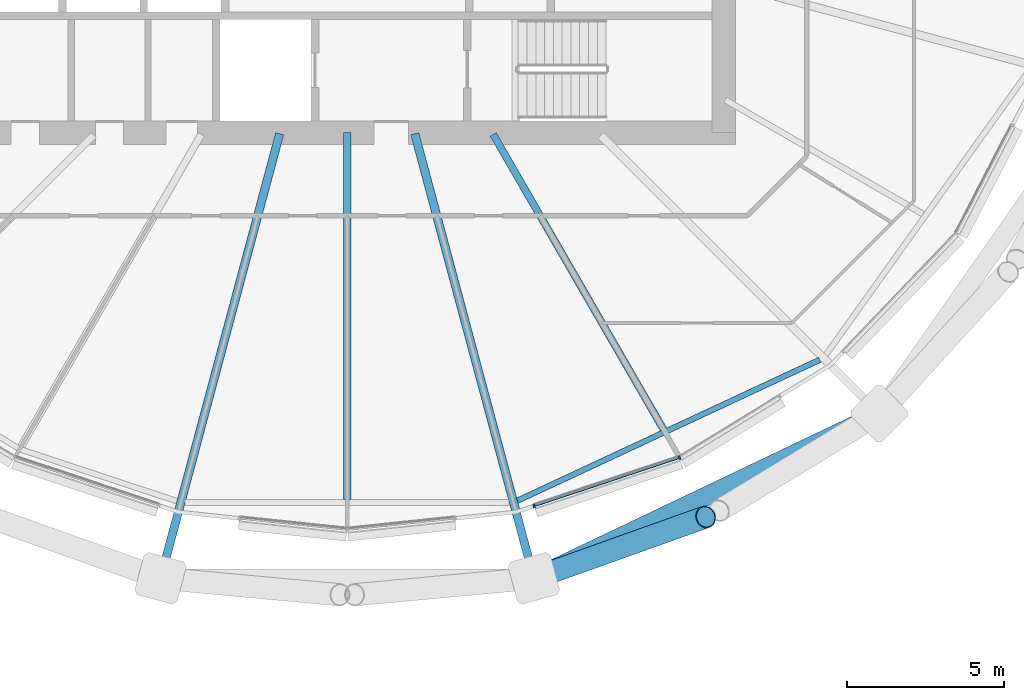
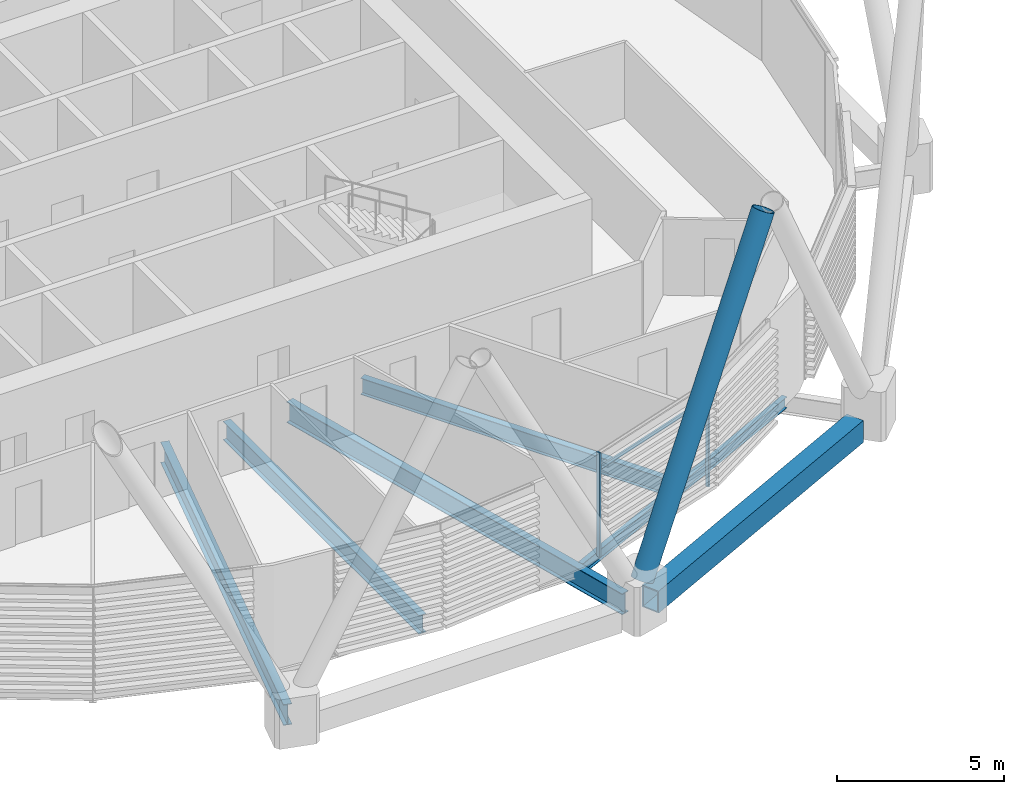
# One storey, part 4 of 39: 6 beams, 4 members, 1 element without a shape of its own.
"""IFC4 building model written with IfcOpenShell, lengths in metres."""

from ifc_helpers import new_model, si_unit, direction, frame, origin, origin_2d, place, context, subcontext, project, spatial, rectangle, hollow_rectangle, hollow_circle, i_section, extrude, material, material_profile, profile_set, type_object, element, aggregate, save


model = new_model("IFC4")

# Units and contexts
model_context = context("Model", 3, precision=1e-05, world=origin(), true_north=direction((0.0, 1.0)))
body_context = subcontext(model_context, "Body", "Model", "MODEL_VIEW")
ifc_project = project(units=[si_unit("LENGTHUNIT", "METRE"), si_unit("AREAUNIT", "SQUARE_METRE"), si_unit("VOLUMEUNIT", "CUBIC_METRE"), si_unit("PLANEANGLEUNIT", "RADIAN"), si_unit("MASSUNIT", "GRAM", prefix="KILO")], contexts=[model_context])

# Site, building, storey
site_placement = place(None, origin())
site = spatial("IfcSite", under=ifc_project, at=site_placement, CompositionType="ELEMENT")
building_placement = place(site_placement, origin())
building = spatial("IfcBuilding", under=site, at=building_placement, Name="Rimbun Link Towers", CompositionType="ELEMENT")
storey_placement = place(building_placement, frame((0.0, 0.0, 115.800048828125)))
storey = spatial("IfcBuildingStorey", under=building, at=storey_placement, Name="L28", CompositionType="ELEMENT", Elevation=115.800048828125)

# Curtain wall, members
ifc_material_1 = material(Name="Aluminium 6063-T6 and low-iron glass", Category="aluminium")
curtain_wall_type = type_object("IfcCurtainWallType", Name="CW1-Z2 unitised vision wall (zone 2)", PredefinedType="NOTDEFINED", material=ifc_material_1)
curtain_wall_placement = place(storey_placement, origin())
curtain_wall = element("IfcCurtainWall", 1, at=curtain_wall_placement, inside=storey, type_object=curtain_wall_type, Name="CW1 L28 T1", PredefinedType="NOTDEFINED")
ifc_material_2 = material(Name="Aluminium 6063-T6", Category="aluminium")
ifc_material_profile_1 = material_profile(ifc_material_2, rectangle(XDim=0.1201171875, YDim=0.06005859375, at=origin_2d()), Name="MULLION 60X120")
ifc_profile_set_1 = profile_set([ifc_material_profile_1], Name="Aluminium 6063-T6")
member_type_1 = type_object("IfcMemberType", Name="CW1 mullion 60X120", PredefinedType="MULLION", material=ifc_profile_set_1)
member_1_placement = place(storey_placement, frame((-21.15380859375, -18.364013671875, 0.0), z_axis=(0.0, 0.0, 1.0), x_axis=(0.421704717158, -0.9067332196, 0.0)))
member_1 = element("IfcMember", 2, at=member_1_placement, type_object=member_type_1, Name="CW1 mullion", PredefinedType="MULLION", context=body_context, shape_type="SweptSolid", body=[
    extrude(rectangle(XDim=0.1201171875, YDim=0.06005859375, at=origin_2d()), origin(), (0.0, 0.0, 1.0), 3.800048828125),
])
member_2_placement = place(storey_placement, frame((-25.793701171875, -19.90185546875, 0.0), z_axis=(0.0, 0.0, 1.0), x_axis=(0.314563424855, -0.949236457235, 0.0)))
member_2 = element("IfcMember", 3, at=member_2_placement, type_object=member_type_1, Name="CW1 mullion", PredefinedType="MULLION", context=body_context, shape_type="SweptSolid", body=[
    extrude(rectangle(XDim=0.1201171875, YDim=0.06005859375, at=origin_2d()), origin(), (0.0, 0.0, 1.0), 3.800048828125),
])
ifc_material_3 = material(Name="Aluminium 6063-T6", Category="aluminium")
ifc_material_profile_2 = material_profile(ifc_material_3, rectangle(XDim=0.06005859375, YDim=0.1201171875, at=origin_2d()), Name="TRANSOM 60X120")
ifc_profile_set_2 = profile_set([ifc_material_profile_2], Name="Aluminium 6063-T6")
member_type_2 = type_object("IfcMemberType", Name="CW1 transom 60X120", PredefinedType="USERDEFINED", material=ifc_profile_set_2)
member_3_placement = place(storey_placement, frame((-21.189208984375, -18.3740234375, 3.199951171875), z_axis=(-0.94923382133, -0.314571378933, 0.0), x_axis=(0.314571378933, -0.94923382133, 0.0)))
member_3 = element("IfcMember", 4, at=member_3_placement, type_object=member_type_2, Name="CW1 transom", ObjectType="TRANSOM", PredefinedType="USERDEFINED", context=body_context, shape_type="SweptSolid", body=[
    extrude(rectangle(XDim=0.06005859375, YDim=0.1201171875, at=origin_2d()), origin(), (0.0, 0.0, 1.0), 4.8212890625),
])
aggregate(curtain_wall, [member_1, member_2, member_3])

# Member
ifc_material_4 = material(Name="Steel S460NH", Category="steel")
ifc_material_profile_3 = material_profile(ifc_material_4, hollow_circle(Radius=0.355712890625, WallThickness=0.031982421875, at=origin_2d()), Name="Diagrid diagonal CHS 711x32")
ifc_profile_set_3 = profile_set([ifc_material_profile_3], Name="Steel S460NH")
member_type_3 = type_object("IfcMemberType", Name="Diagrid diagonal CHS 711x32", PredefinedType="BRACE", material=ifc_profile_set_3)
member_4_placement = place(storey_placement, frame((-25.578857421875, -22.128173828125, 0.441650390625), z_axis=(0.441450523195, 0.157512959012, 0.883352196643), x_axis=(-0.336056450745, 0.941841845488, 0.0)))
element("IfcMember", 5, at=member_4_placement, inside=storey, type_object=member_type_3, Name="Diagrid diagonal T1 L28-L31 19b", PredefinedType="BRACE", context=body_context, shape_type="SweptSolid", body=[
    extrude(hollow_circle(Radius=0.355712890625, WallThickness=0.031982421875, at=origin_2d()), origin(), (0.0, 0.0, 1.0), 11.9052734375),
])

# Beams
ifc_material_5 = material(Name="Steel S355J2", Category="steel")
ifc_material_profile_4 = material_profile(ifc_material_5, hollow_rectangle(XDim=0.60009765625, YDim=0.800048828125, WallThickness=0.0400390625, at=origin_2d()), Name="Exoskeleton ring girder BOX 600x800x40")
ifc_profile_set_4 = profile_set([ifc_material_profile_4], Name="Steel S355J2")
beam_type_1 = type_object("IfcBeamType", Name="Exoskeleton ring girder BOX 600x800x40", PredefinedType="BEAM", material=ifc_profile_set_4)
beam_1_placement = place(storey_placement, frame((-25.167724609375, -21.905517578125, -0.56005859375), z_axis=(0.902565145256, 0.430553316755, 0.0), x_axis=(-0.430553316755, 0.902565145256, 0.0)))
element("IfcBeam", 6, at=beam_1_placement, inside=storey, type_object=beam_type_1, Name="Exoskeleton ring girder L28 06", PredefinedType="BEAM", context=body_context, shape_type="SweptSolid", body=[
    extrude(hollow_rectangle(XDim=0.60009765625, YDim=0.800048828125, WallThickness=0.0400390625, at=origin_2d()), origin(), (0.0, 0.0, 1.0), 10.794189453125),
])
ifc_material_6 = material(Name="Steel S355J2", Category="steel")
ifc_material_profile_5 = material_profile(ifc_material_6, i_section(OverallWidth=0.177978515625, OverallDepth=0.406494140625, WebThickness=0.0078125, FlangeThickness=0.0126953125, at=origin_2d()), Name="UB 406x178x60")
ifc_profile_set_5 = profile_set([ifc_material_profile_5], Name="Steel S355J2")
beam_type_2 = type_object("IfcBeamType", Name="UB 406x178x60", PredefinedType="BEAM", material=ifc_profile_set_5)
beam_2_placement = place(storey_placement, frame((-26.323974609375, -19.731689453125, -0.36328125), z_axis=(0.906386059243, 0.422450365853, 0.0), x_axis=(-0.422450365853, 0.906386059243, 0.0)))
element("IfcBeam", 7, at=beam_2_placement, inside=storey, type_object=beam_type_2, Name="Edge beam T1 L28 19-21", PredefinedType="BEAM", context=body_context, shape_type="SweptSolid", body=[
    extrude(i_section(OverallWidth=0.177978515625, OverallDepth=0.406494140625, WebThickness=0.0078125, FlangeThickness=0.0126953125, at=origin_2d()), origin(), (0.0, 0.0, 1.0), 10.629638671875),
])
ifc_material_7 = material(Name="Steel S355J2", Category="steel")
ifc_material_profile_6 = material_profile(ifc_material_7, i_section(OverallWidth=0.2275390625, OverallDepth=0.6025390625, WebThickness=0.010498046875, FlangeThickness=0.014892578125, at=origin_2d()), Name="UB 610x229x101")
ifc_profile_set_6 = profile_set([ifc_material_profile_6], Name="Steel S355J2")
beam_type_3 = type_object("IfcBeamType", Name="UB 610x229x101", PredefinedType="BEAM", material=ifc_profile_set_6)
beam_3_placement = place(storey_placement, frame((-27.097900390625, -8.057861328125, -0.46142578125), z_axis=(0.49999814997, -0.866026471897, 0.0), x_axis=(0.866026471897, 0.49999814997, 0.0)))
element("IfcBeam", 8, at=beam_3_placement, inside=storey, type_object=beam_type_3, Name="Radial beam T1 L28 20", PredefinedType="BEAM", context=body_context, shape_type="SweptSolid", body=[
    extrude(i_section(OverallWidth=0.2275390625, OverallDepth=0.6025390625, WebThickness=0.010498046875, FlangeThickness=0.014892578125, at=origin_2d()), origin(), (0.0, 0.0, 1.0), 10.859375),
])
ifc_material_8 = material(Name="Steel S355J2", Category="steel")
ifc_material_profile_7 = material_profile(ifc_material_8, i_section(OverallWidth=0.253662109375, OverallDepth=0.68359375, WebThickness=0.012451171875, FlangeThickness=0.01904296875, at=origin_2d()), Name="UB 686x254x140")
ifc_profile_set_7 = profile_set([ifc_material_profile_7], Name="Steel S355J2")
beam_type_4 = type_object("IfcBeamType", Name="UB 686x254x140", PredefinedType="BEAM", material=ifc_profile_set_7)
beam_4_placement = place(storey_placement, frame((-31.75, -8.0009765625, -0.501953125), z_axis=(0.0, -1.0, 0.0), x_axis=(1.0, 0.0, 0.0)))
element("IfcBeam", 9, at=beam_4_placement, inside=storey, type_object=beam_type_4, Name="Radial beam T1 L28 18", PredefinedType="BEAM", context=body_context, shape_type="SweptSolid", body=[
    extrude(i_section(OverallWidth=0.253662109375, OverallDepth=0.68359375, WebThickness=0.012451171875, FlangeThickness=0.01904296875, at=origin_2d()), origin(), (0.0, 0.0, 1.0), 11.6982421875),
])
ifc_material_9 = material(Name="Steel S355J2", Category="steel")
ifc_material_profile_8 = material_profile(ifc_material_9, i_section(OverallWidth=0.2666015625, OverallDepth=0.76220703125, WebThickness=0.014404296875, FlangeThickness=0.021484375, at=origin_2d()), Name="UB 762x267x173")
ifc_profile_set_8 = profile_set([ifc_material_profile_8], Name="Steel S355J2")
beam_type_5 = type_object("IfcBeamType", Name="UB 762x267x173", PredefinedType="BEAM", material=ifc_profile_set_8)
for number, where, z_axis, x_axis, name in (
    (10, (-33.9033203125, -8.035400390625, -0.541259765625), (-0.258808705497, -0.965928596719, 0.0), (0.965928596719, -0.258808705497, 0.0), "Radial beam T1 L28 17"),
    (11, (-29.5966796875, -8.035400390625, -0.541259765625), (0.258808705497, -0.965928596719, 0.0), (0.965928596719, 0.258808705497, 0.0), "Radial beam T1 L28 19"),
):
    element("IfcBeam", number, at=place(storey_placement, frame(where, z_axis=z_axis, x_axis=x_axis)), inside=storey, type_object=beam_type_5, Name=name, PredefinedType="BEAM", context=body_context, shape_type="SweptSolid", body=[
        extrude(i_section(OverallWidth=0.2666015625, OverallDepth=0.76220703125, WebThickness=0.014404296875, FlangeThickness=0.021484375, at=origin_2d()), origin(), (0.0, 0.0, 1.0), 14.171630859375),
    ])

save(model, "model.ifc")
